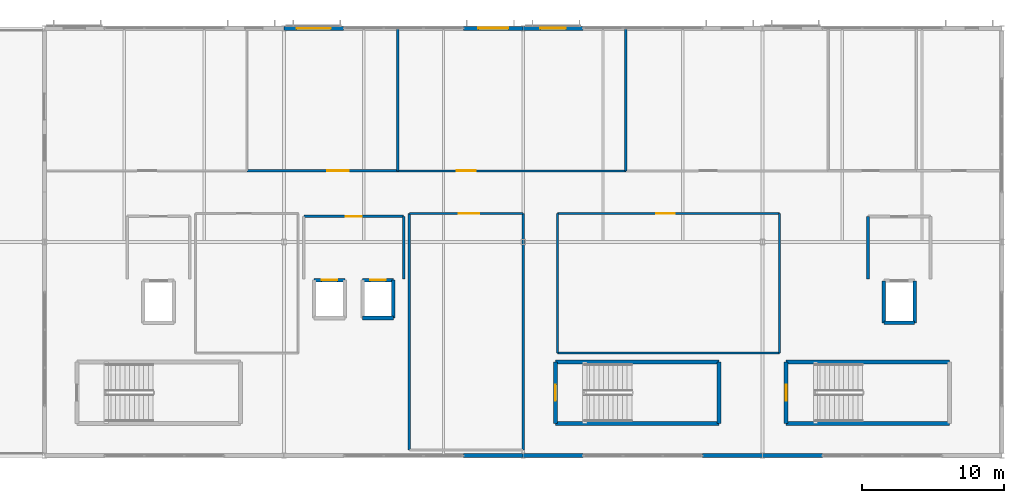
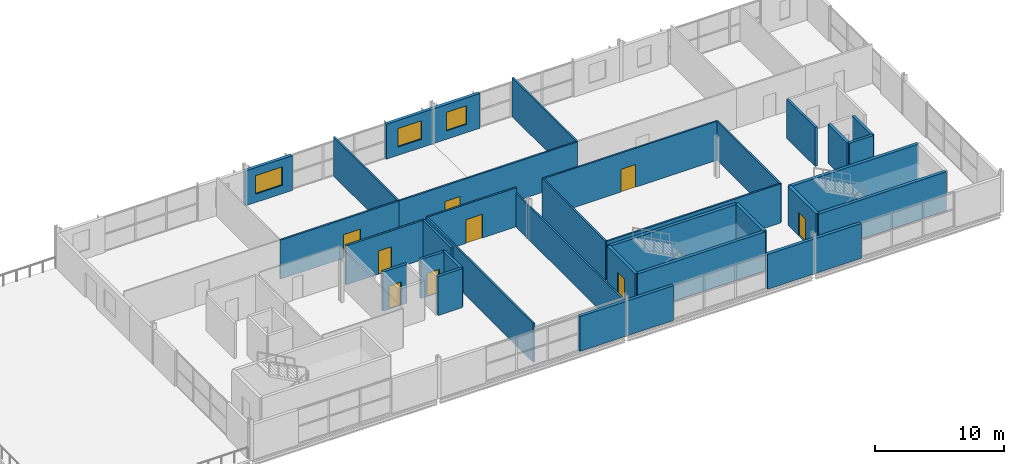
# One storey, part 14 of 18: 35 walls, 9 doors, 3 windows, 12 openings.
"""IFC4 building model written with IfcOpenShell, lengths in metres."""

from ifc_helpers import new_model, si_unit, direction, frame, frame_2d, origin, place, context, subcontext, project, spatial, rectangle, extrude, material, layer, layer_set, type_object, element, fill, save


model = new_model("IFC4")

# Units and contexts
model_context = context("Model", 3, precision=1e-05, world=origin(), true_north=direction((0.0, 1.0)))
body_context = subcontext(model_context, "Body", "Model", "MODEL_VIEW")
ifc_project = project(units=[si_unit("LENGTHUNIT", "METRE"), si_unit("AREAUNIT", "SQUARE_METRE"), si_unit("VOLUMEUNIT", "CUBIC_METRE"), si_unit("PLANEANGLEUNIT", "RADIAN"), si_unit("MASSUNIT", "GRAM", prefix="KILO")], contexts=[model_context])

# Site, building, storey
site_placement = place(None, origin())
site = spatial("IfcSite", under=ifc_project, at=site_placement, CompositionType="ELEMENT")
building_placement = place(site_placement, origin())
building = spatial("IfcBuilding", under=site, at=building_placement, Name="Kimbaza Rail Terminus", CompositionType="ELEMENT")
storey_placement = place(building_placement, frame((0.0, 0.0, 24.89990234375)))
storey = spatial("IfcBuildingStorey", under=building, at=storey_placement, Name="L05", CompositionType="ELEMENT", Elevation=24.89990234375)

# Wall, opening, window
ifc_material_1 = material(Name="Precast concrete C40/50", Category="concrete")
ifc_layer_1 = layer(ifc_material_1, 0.280029296875)
ifc_layer_set_1 = layer_set([ifc_layer_1], Name="Precast concrete C40/50")
wall_type_1 = type_object("IfcWallType", Name="ARC-WL-EXT280", PredefinedType="STANDARD", material=ifc_layer_set_1)
wall_1_placement = place(storey_placement, frame((88.800048828125, 133.0, 0.0), z_axis=(0.0, 0.0, 1.0), x_axis=(1.0, 0.0, 0.0)))
wall_1 = element("IfcWall", 1, at=wall_1_placement, inside=storey, type_object=wall_type_1, Name="Operations North Pier L05 1A", PredefinedType="STANDARD", context=body_context, shape_type="SweptSolid", body=[
    extrude(rectangle(XDim=4.199951171875, YDim=0.280029296875, at=frame_2d((2.10009765625, 0.0))), origin(), (0.0, 0.0, 1.0), 3.300048828125),
])
opening_1_placement = place(wall_1_placement, frame((0.89990234375, 0.0, 0.800048828125)))
opening_1 = element("IfcOpeningElement", 2, at=opening_1_placement, cuts=wall_1, Name="Opening W-10", PredefinedType="OPENING", context=body_context, shape_type="SweptSolid", body=[
    extrude(rectangle(XDim=2.39990234375, YDim=1.75, at=frame_2d((1.199951171875, 0.875))), frame((0.0, 0.14990234375, 0.0), z_axis=(0.0, -1.0, 0.0), x_axis=(1.0, 0.0, 0.0)), (0.0, 0.0, 1.0), 0.300048828125),
])
ifc_material_2 = material(Name="Thermally broken aluminium and solar low-E glass", Category="aluminium")
window_type_1 = type_object("IfcWindowType", Name="ARC-WIN-W-10", PartitioningType="SINGLE_PANEL", PredefinedType="WINDOW", material=ifc_material_2)
window_1_placement = place(opening_1_placement, origin())
window_1 = element("IfcWindow", 3, at=window_1_placement, inside=storey, type_object=window_type_1, Name="North Facade Window W-10", OverallHeight=1.75, OverallWidth=2.39990234375, PartitioningType="SINGLE_PANEL", PredefinedType="WINDOW", context=body_context, shape_type="SweptSolid", body=[
    extrude(rectangle(XDim=2.39990234375, YDim=1.75, at=frame_2d((1.199951171875, 0.875))), frame((0.0, 0.030029296875, 0.0), z_axis=(0.0, -1.0, 0.0), x_axis=(1.0, 0.0, 0.0)), (0.0, 0.0, 1.0), 0.06005859375),
])
fill(opening_1, window_1)

wall_2_placement = place(storey_placement, frame((101.39990234375, 133.0, 0.0), z_axis=(0.0, 0.0, 1.0), x_axis=(1.0, 0.0, 0.0)))
wall_2 = element("IfcWall", 4, at=wall_2_placement, inside=storey, type_object=wall_type_1, Name="Operations North Pier L05 1B", PredefinedType="STANDARD", context=body_context, shape_type="SweptSolid", body=[
    extrude(rectangle(XDim=4.2001953125, YDim=0.280029296875, at=frame_2d((2.10009765625, 0.0))), origin(), (0.0, 0.0, 1.0), 3.300048828125),
])
opening_2_placement = place(wall_2_placement, frame((1.050048828125, 0.0, 0.800048828125)))
opening_2 = element("IfcOpeningElement", 5, at=opening_2_placement, cuts=wall_2, Name="Opening W-11", PredefinedType="OPENING", context=body_context, shape_type="SweptSolid", body=[
    extrude(rectangle(XDim=2.10009765625, YDim=1.75, at=frame_2d((1.050048828125, 0.875))), frame((0.0, 0.14990234375, 0.0), z_axis=(0.0, -1.0, 0.0), x_axis=(1.0, 0.0, 0.0)), (0.0, 0.0, 1.0), 0.300048828125),
])
ifc_material_3 = material(Name="Thermally broken aluminium and solar low-E glass", Category="aluminium")
window_type_2 = type_object("IfcWindowType", Name="ARC-WIN-W-11", PartitioningType="SINGLE_PANEL", PredefinedType="WINDOW", material=ifc_material_3)
window_2_placement = place(opening_2_placement, origin())
window_2 = element("IfcWindow", 6, at=window_2_placement, inside=storey, type_object=window_type_2, Name="North Facade Window W-11", OverallHeight=1.75, OverallWidth=2.10009765625, PartitioningType="SINGLE_PANEL", PredefinedType="WINDOW", context=body_context, shape_type="SweptSolid", body=[
    extrude(rectangle(XDim=2.10009765625, YDim=1.75, at=frame_2d((1.050048828125, 0.875))), frame((0.0, 0.030029296875, 0.0), z_axis=(0.0, -1.0, 0.0), x_axis=(1.0, 0.0, 0.0)), (0.0, 0.0, 1.0), 0.06005859375),
])
fill(opening_2, window_2)

wall_3_placement = place(storey_placement, frame((105.60009765625, 133.0, 0.0), z_axis=(0.0, 0.0, 1.0), x_axis=(1.0, 0.0, 0.0)))
wall_3 = element("IfcWall", 7, at=wall_3_placement, inside=storey, type_object=wall_type_1, Name="Operations North Pier L05 2A", PredefinedType="STANDARD", context=body_context, shape_type="SweptSolid", body=[
    extrude(rectangle(XDim=4.199951171875, YDim=0.280029296875, at=frame_2d((2.10009765625, 0.0))), origin(), (0.0, 0.0, 1.0), 3.300048828125),
])
opening_3_placement = place(wall_3_placement, frame((1.199951171875, 0.0, 0.800048828125)))
opening_3 = element("IfcOpeningElement", 8, at=opening_3_placement, cuts=wall_3, Name="Opening W-12", PredefinedType="OPENING", context=body_context, shape_type="SweptSolid", body=[
    extrude(rectangle(XDim=1.800048828125, YDim=1.75, at=frame_2d((0.89990234375, 0.875))), frame((0.0, 0.14990234375, 0.0), z_axis=(0.0, -1.0, 0.0), x_axis=(1.0, 0.0, 0.0)), (0.0, 0.0, 1.0), 0.300048828125),
])
ifc_material_4 = material(Name="Thermally broken aluminium and solar low-E glass", Category="aluminium")
window_type_3 = type_object("IfcWindowType", Name="ARC-WIN-W-12", PartitioningType="SINGLE_PANEL", PredefinedType="WINDOW", material=ifc_material_4)
window_3_placement = place(opening_3_placement, origin())
window_3 = element("IfcWindow", 9, at=window_3_placement, inside=storey, type_object=window_type_3, Name="North Facade Window W-12", OverallHeight=1.75, OverallWidth=1.800048828125, PartitioningType="SINGLE_PANEL", PredefinedType="WINDOW", context=body_context, shape_type="SweptSolid", body=[
    extrude(rectangle(XDim=1.800048828125, YDim=1.75, at=frame_2d((0.89990234375, 0.875))), frame((0.0, 0.030029296875, 0.0), z_axis=(0.0, -1.0, 0.0), x_axis=(1.0, 0.0, 0.0)), (0.0, 0.0, 1.0), 0.06005859375),
])
fill(opening_3, window_3)

# Walls
wall_4_placement = place(storey_placement, frame((101.39990234375, 103.0, 0.0), z_axis=(0.0, 0.0, 1.0), x_axis=(1.0, 0.0, 0.0)))
element("IfcWall", 10, at=wall_4_placement, inside=storey, type_object=wall_type_1, Name="Operations South Wall L05 1B", PredefinedType="STANDARD", context=body_context, shape_type="SweptSolid", body=[
    extrude(rectangle(XDim=4.2001953125, YDim=0.280029296875, at=frame_2d((2.10009765625, 0.0))), origin(), (0.0, 0.0, 1.0), 3.300048828125),
])
for number, where, z_axis, x_axis, name in (
    (11, (105.60009765625, 103.0, 0.0), (0.0, 0.0, 1.0), (1.0, 0.0, 0.0), "Operations South Wall L05 2A"),
    (12, (118.199951171875, 103.0, 0.0), (0.0, 0.0, 1.0), (1.0, 0.0, 0.0), "Operations South Wall L05 2B"),
):
    element("IfcWall", number, at=place(storey_placement, frame(where, z_axis=z_axis, x_axis=x_axis)), inside=storey, type_object=wall_type_1, Name=name, PredefinedType="STANDARD", context=body_context, shape_type="SweptSolid", body=[
        extrude(rectangle(XDim=4.199951171875, YDim=0.280029296875, at=frame_2d((2.10009765625, 0.0))), origin(), (0.0, 0.0, 1.0), 3.300048828125),
    ])
wall_5_placement = place(storey_placement, frame((122.39990234375, 103.0, 0.0), z_axis=(0.0, 0.0, 1.0), x_axis=(1.0, 0.0, 0.0)))
element("IfcWall", 13, at=wall_5_placement, inside=storey, type_object=wall_type_1, Name="Operations South Wall L05 3A", PredefinedType="STANDARD", context=body_context, shape_type="SweptSolid", body=[
    extrude(rectangle(XDim=4.2001953125, YDim=0.280029296875, at=frame_2d((2.10009765625, 0.0))), origin(), (0.0, 0.0, 1.0), 3.300048828125),
])
ifc_material_5 = material(Name="Concrete blockwork C30/37", Category="masonry")
ifc_layer_2 = layer(ifc_material_5, 0.179931640625)
ifc_layer_set_2 = layer_set([ifc_layer_2], Name="Concrete blockwork C30/37")
wall_type_2 = type_object("IfcWallType", Name="ARC-WL-FIRE180", PredefinedType="PARTITIONING", material=ifc_layer_set_2)
wall_6_placement = place(storey_placement, frame((97.199951171875, 115.39990234375, 0.0), z_axis=(0.0, 0.0, 1.0), x_axis=(0.0, 1.0, 0.0)))
element("IfcWall", 14, at=wall_6_placement, inside=storey, type_object=wall_type_2, Name="Operations Lift Lobby L05 Partition (east)", PredefinedType="PARTITIONING", context=body_context, shape_type="SweptSolid", body=[
    extrude(rectangle(XDim=4.400146484375, YDim=0.179931640625, at=frame_2d((2.2001953125, 0.0))), origin(), (0.0, 0.0, 1.0), 3.695068359375),
])

# Wall, opening, door
wall_7_placement = place(storey_placement, frame((97.199951171875, 119.800048828125, 0.0), z_axis=(0.0, 0.0, 1.0), x_axis=(-1.0, 0.0, 0.0)))
wall_7 = element("IfcWall", 15, at=wall_7_placement, inside=storey, type_object=wall_type_2, Name="Operations Lift Lobby L05 Partition (north)", PredefinedType="PARTITIONING", context=body_context, shape_type="SweptSolid", body=[
    extrude(rectangle(XDim=7.0, YDim=0.179931640625, at=frame_2d((3.5, 0.0))), origin(), (0.0, 0.0, 1.0), 3.695068359375),
])
opening_4_placement = place(wall_7_placement, frame((4.074951171875, 0.0, 0.0), z_axis=(0.0, 0.0, 1.0), x_axis=(-1.0, 0.0, 0.0)))
opening_4 = element("IfcOpeningElement", 16, at=opening_4_placement, cuts=wall_7, Name="Opening FD-03", PredefinedType="OPENING", context=body_context, shape_type="SweptSolid", body=[
    extrude(rectangle(XDim=1.14990234375, YDim=2.199951171875, at=frame_2d((0.574951171875, 1.10009765625))), frame((0.0, 0.099853515625, 0.0), z_axis=(0.0, -1.0, 0.0), x_axis=(1.0, 0.0, 0.0)), (0.0, 0.0, 1.0), 0.199951171875),
])
ifc_material_6 = material(Name="Firefighting lobby self-closing steel door", Category="steel")
door_type_1 = type_object("IfcDoorType", Name="ARC-DR-FD115", OperationType="NOTDEFINED", PredefinedType="DOOR", material=ifc_material_6)
door_1_placement = place(opening_4_placement, origin())
door_1 = element("IfcDoor", 17, at=door_1_placement, inside=storey, type_object=door_type_1, Name="IDR-SPC-LLOB-V5-L05", OperationType="SINGLE_SWING_LEFT", OverallHeight=2.199951171875, OverallWidth=1.14990234375, PredefinedType="DOOR", context=body_context, shape_type="SweptSolid", body=[
    extrude(rectangle(XDim=1.14990234375, YDim=2.199951171875, at=frame_2d((0.574951171875, 1.10009765625))), frame((0.0, 0.02490234375, 0.0), z_axis=(0.0, -1.0, 0.0), x_axis=(1.0, 0.0, 0.0)), (0.0, 0.0, 1.0), 0.050048828125),
])
fill(opening_4, door_1)

# Wall
ifc_material_7 = material(Name="Concrete blockwork C30/37", Category="masonry")
ifc_layer_3 = layer(ifc_material_7, 0.199951171875)
ifc_layer_set_3 = layer_set([ifc_layer_3], Name="Concrete blockwork C30/37")
wall_type_3 = type_object("IfcWallType", Name="ARC-WL-FIRE200", PredefinedType="PARTITIONING", material=ifc_layer_set_3)
wall_8_placement = place(storey_placement, frame((129.800048828125, 119.800048828125, 0.0), z_axis=(0.0, 0.0, 1.0), x_axis=(0.0, -1.0, 0.0)))
element("IfcWall", 18, at=wall_8_placement, inside=storey, type_object=wall_type_3, Name="Firefighting Lobby LF-02 Partition (west)", PredefinedType="PARTITIONING", context=body_context, shape_type="SweptSolid", body=[
    extrude(rectangle(XDim=4.400146484375, YDim=0.199951171875, at=frame_2d((2.2001953125, 0.0))), origin(), (0.0, 0.0, 1.0), 3.695068359375),
])

# Wall, opening, door
ifc_material_8 = material(Name="Acoustic gypsum stud partition", Category="gypsum")
ifc_layer_4 = layer(ifc_material_8, 0.14990234375)
ifc_layer_set_4 = layer_set([ifc_layer_4], Name="Acoustic gypsum stud partition")
wall_type_4 = type_object("IfcWallType", Name="ARC-WL-PART150", PredefinedType="PARTITIONING", material=ifc_layer_set_4)
wall_9_placement = place(storey_placement, frame((96.800048828125, 123.0, 0.0), z_axis=(0.0, 0.0, 1.0), x_axis=(1.0, 0.0, 0.0)))
wall_9 = element("IfcWall", 19, at=wall_9_placement, inside=storey, type_object=wall_type_4, Name="Railway Safety Training Classroom Partition (south)", PredefinedType="PARTITIONING", context=body_context, shape_type="SweptSolid", body=[
    extrude(rectangle(XDim=16.0, YDim=0.14990234375, at=frame_2d((8.0, 0.0))), origin(), (0.0, 0.0, 1.0), 3.695068359375),
])
opening_5_placement = place(wall_9_placement, frame((4.125, 0.0, 0.0)))
opening_5 = element("IfcOpeningElement", 20, at=opening_5_placement, cuts=wall_9, Name="Opening ID-02", PredefinedType="OPENING", context=body_context, shape_type="SweptSolid", body=[
    extrude(rectangle(XDim=1.35009765625, YDim=2.199951171875, at=frame_2d((0.675048828125, 1.10009765625))), frame((0.0, 0.0849609375, 0.0), z_axis=(0.0, -1.0, 0.0), x_axis=(1.0, 0.0, 0.0)), (0.0, 0.0, 1.0), 0.169921875),
])
ifc_material_9 = material(Name="Anodised aluminium glazed lounge door", Category="aluminium")
door_type_2 = type_object("IfcDoorType", Name="ARC-DR-ID135", OperationType="NOTDEFINED", PredefinedType="DOOR", material=ifc_material_9)
door_2_placement = place(opening_5_placement, origin())
door_2 = element("IfcDoor", 21, at=door_2_placement, inside=storey, type_object=door_type_2, Name="IDR-SPC-V5N-L05-03", OperationType="SINGLE_SWING_LEFT", OverallHeight=2.199951171875, OverallWidth=1.35009765625, PredefinedType="DOOR", context=body_context, shape_type="SweptSolid", body=[
    extrude(rectangle(XDim=1.35009765625, YDim=2.199951171875, at=frame_2d((0.675048828125, 1.10009765625))), frame((0.0, 0.02490234375, 0.0), z_axis=(0.0, -1.0, 0.0), x_axis=(1.0, 0.0, 0.0)), (0.0, 0.0, 1.0), 0.050048828125),
])
fill(opening_5, door_2)

# Walls
wall_10_placement = place(storey_placement, frame((112.800048828125, 123.0, 0.0), z_axis=(0.0, 0.0, 1.0), x_axis=(0.0, 1.0, 0.0)))
element("IfcWall", 22, at=wall_10_placement, inside=storey, type_object=wall_type_4, Name="Railway Safety Training Classroom Partition (east)", PredefinedType="PARTITIONING", context=body_context, shape_type="SweptSolid", body=[
    extrude(rectangle(XDim=9.97998046875, YDim=0.14990234375, at=frame_2d((4.989990234375, 0.0))), origin(), (0.0, 0.0, 1.0), 3.695068359375),
])
wall_11_placement = place(storey_placement, frame((108.0, 110.199951171875, 0.0), z_axis=(0.0, 0.0, 1.0), x_axis=(1.0, 0.0, 0.0)))
element("IfcWall", 23, at=wall_11_placement, inside=storey, type_object=wall_type_4, Name="L05 Rolling Stock Rostering Studio Partition (south)", PredefinedType="PARTITIONING", context=body_context, shape_type="SweptSolid", body=[
    extrude(rectangle(XDim=15.60009765625, YDim=0.14990234375, at=frame_2d((7.800048828125, 0.0))), origin(), (0.0, 0.0, 1.0), 3.695068359375),
])
wall_12_placement = place(storey_placement, frame((123.60009765625, 110.199951171875, 0.0), z_axis=(0.0, 0.0, 1.0), x_axis=(0.0, 1.0, 0.0)))
element("IfcWall", 24, at=wall_12_placement, inside=storey, type_object=wall_type_4, Name="L05 Rolling Stock Rostering Studio Partition (east)", PredefinedType="PARTITIONING", context=body_context, shape_type="SweptSolid", body=[
    extrude(rectangle(XDim=9.800048828125, YDim=0.14990234375, at=frame_2d((4.89990234375, 0.0))), origin(), (0.0, 0.0, 1.0), 3.695068359375),
])

# Wall, opening, door
wall_13_placement = place(storey_placement, frame((123.60009765625, 120.0, 0.0), z_axis=(0.0, 0.0, 1.0), x_axis=(-1.0, 0.0, 0.0)))
wall_13 = element("IfcWall", 25, at=wall_13_placement, inside=storey, type_object=wall_type_4, Name="L05 Rolling Stock Rostering Studio Partition (north)", PredefinedType="PARTITIONING", context=body_context, shape_type="SweptSolid", body=[
    extrude(rectangle(XDim=15.60009765625, YDim=0.14990234375, at=frame_2d((7.800048828125, 0.0))), origin(), (0.0, 0.0, 1.0), 3.695068359375),
])
opening_6_placement = place(wall_13_placement, frame((7.35009765625, 0.0, 0.0)))
opening_6 = element("IfcOpeningElement", 26, at=opening_6_placement, cuts=wall_13, Name="Opening ID-08", PredefinedType="OPENING", context=body_context, shape_type="SweptSolid", body=[
    extrude(rectangle(XDim=1.300048828125, YDim=2.14990234375, at=frame_2d((0.64990234375, 1.074951171875))), frame((0.0, 0.0849609375, 0.0), z_axis=(0.0, -1.0, 0.0), x_axis=(1.0, 0.0, 0.0)), (0.0, 0.0, 1.0), 0.169921875),
])
ifc_material_10 = material(Name="Training classroom acoustic door", Category="wood")
door_type_3 = type_object("IfcDoorType", Name="ARC-DR-ID130", OperationType="NOTDEFINED", PredefinedType="DOOR", material=ifc_material_10)
door_3_placement = place(opening_6_placement, origin())
door_3 = element("IfcDoor", 27, at=door_3_placement, inside=storey, type_object=door_type_3, Name="IDR-SPC-V5S-L05-3", OperationType="SINGLE_SWING_LEFT", OverallHeight=2.14990234375, OverallWidth=1.300048828125, PredefinedType="DOOR", context=body_context, shape_type="SweptSolid", body=[
    extrude(rectangle(XDim=1.300048828125, YDim=2.14990234375, at=frame_2d((0.64990234375, 1.074951171875))), frame((0.0, 0.02490234375, 0.0), z_axis=(0.0, -1.0, 0.0), x_axis=(1.0, 0.0, 0.0)), (0.0, 0.0, 1.0), 0.050048828125),
])
fill(opening_6, door_3)

# Wall
wall_14_placement = place(storey_placement, frame((108.0, 120.0, 0.0), z_axis=(0.0, 0.0, 1.0), x_axis=(0.0, -1.0, 0.0)))
element("IfcWall", 28, at=wall_14_placement, inside=storey, type_object=wall_type_4, Name="L05 Rolling Stock Rostering Studio Partition (west)", PredefinedType="PARTITIONING", context=body_context, shape_type="SweptSolid", body=[
    extrude(rectangle(XDim=9.800048828125, YDim=0.14990234375, at=frame_2d((4.89990234375, 0.0))), origin(), (0.0, 0.0, 1.0), 3.695068359375),
])

# Wall, opening, door
ifc_material_11 = material(Name="Acoustic gypsum stud partition", Category="gypsum")
ifc_layer_5 = layer(ifc_material_11, 0.159912109375)
ifc_layer_set_5 = layer_set([ifc_layer_5], Name="Acoustic gypsum stud partition")
wall_type_5 = type_object("IfcWallType", Name="ARC-WL-PART160", PredefinedType="PARTITIONING", material=ifc_layer_set_5)
wall_15_placement = place(storey_placement, frame((86.199951171875, 123.0, 0.0), z_axis=(0.0, 0.0, 1.0), x_axis=(1.0, 0.0, 0.0)))
wall_15 = element("IfcWall", 29, at=wall_15_placement, inside=storey, type_object=wall_type_5, Name="Canteen Catering Kitchen and Server Partition (south)", PredefinedType="PARTITIONING", context=body_context, shape_type="SweptSolid", body=[
    extrude(rectangle(XDim=10.60009765625, YDim=0.159912109375, at=frame_2d((5.300048828125, 0.0))), origin(), (0.0, 0.0, 1.0), 3.695068359375),
])
opening_7_placement = place(wall_15_placement, frame((7.14990234375, 0.0, 0.0), z_axis=(0.0, 0.0, 1.0), x_axis=(-1.0, 0.0, 0.0)))
opening_7 = element("IfcOpeningElement", 30, at=opening_7_placement, cuts=wall_15, Name="Opening ID-01", PredefinedType="OPENING", context=body_context, shape_type="SweptSolid", body=[
    extrude(rectangle(XDim=1.5, YDim=2.25, at=frame_2d((0.75, 1.125))), frame((0.0, 0.08984375, 0.0), z_axis=(0.0, -1.0, 0.0), x_axis=(1.0, 0.0, 0.0)), (0.0, 0.0, 1.0), 0.179931640625),
])
ifc_material_12 = material(Name="Anodised aluminium glazed concourse door", Category="aluminium")
door_type_4 = type_object("IfcDoorType", Name="ARC-DR-ID150", OperationType="NOTDEFINED", PredefinedType="DOOR", material=ifc_material_12)
door_4_placement = place(opening_7_placement, origin())
door_4 = element("IfcDoor", 31, at=door_4_placement, inside=storey, type_object=door_type_4, Name="IDR-SPC-V5N-L05-02", OperationType="SINGLE_SWING_RIGHT", OverallHeight=2.25, OverallWidth=1.5, PredefinedType="DOOR", context=body_context, shape_type="SweptSolid", body=[
    extrude(rectangle(XDim=1.5, YDim=2.25, at=frame_2d((0.75, 1.125))), frame((0.0, 0.02490234375, 0.0), z_axis=(0.0, -1.0, 0.0), x_axis=(1.0, 0.0, 0.0)), (0.0, 0.0, 1.0), 0.050048828125),
])
fill(opening_7, door_4)

# Walls
wall_16_placement = place(storey_placement, frame((96.800048828125, 123.0, 0.0), z_axis=(0.0, 0.0, 1.0), x_axis=(0.0, 1.0, 0.0)))
element("IfcWall", 32, at=wall_16_placement, inside=storey, type_object=wall_type_5, Name="Canteen Catering Kitchen and Server Partition (east)", PredefinedType="PARTITIONING", context=body_context, shape_type="SweptSolid", body=[
    extrude(rectangle(XDim=9.97998046875, YDim=0.159912109375, at=frame_2d((4.989990234375, 0.0))), origin(), (0.0, 0.0, 1.0), 3.695068359375),
])
wall_17_placement = place(storey_placement, frame((105.60009765625, 103.39990234375, 0.0), z_axis=(0.0, 0.0, 1.0), x_axis=(0.0, 1.0, 0.0)))
element("IfcWall", 33, at=wall_17_placement, inside=storey, type_object=wall_type_5, Name="L05 Network Dispatch Briefing Room Partition (east)", PredefinedType="PARTITIONING", context=body_context, shape_type="SweptSolid", body=[
    extrude(rectangle(XDim=16.60009765625, YDim=0.159912109375, at=frame_2d((8.300048828125, 0.0))), origin(), (0.0, 0.0, 1.0), 3.190185546875),
])

# Wall, opening, door
wall_18_placement = place(storey_placement, frame((105.60009765625, 120.0, 0.0), z_axis=(0.0, 0.0, 1.0), x_axis=(-1.0, 0.0, 0.0)))
wall_18 = element("IfcWall", 34, at=wall_18_placement, inside=storey, type_object=wall_type_5, Name="L05 Network Dispatch Briefing Room Partition (north)", PredefinedType="PARTITIONING", context=body_context, shape_type="SweptSolid", body=[
    extrude(rectangle(XDim=8.0, YDim=0.159912109375, at=frame_2d((4.0, 0.0))), origin(), (0.0, 0.0, 1.0), 3.695068359375),
])
opening_8_placement = place(wall_18_placement, frame((4.52490234375, 0.0, 0.0), z_axis=(0.0, 0.0, 1.0), x_axis=(-1.0, 0.0, 0.0)))
opening_8 = element("IfcOpeningElement", 35, at=opening_8_placement, cuts=wall_18, Name="Opening ID-07", PredefinedType="OPENING", context=body_context, shape_type="SweptSolid", body=[
    extrude(rectangle(XDim=1.449951171875, YDim=2.25, at=frame_2d((0.72509765625, 1.125))), frame((0.0, 0.08984375, 0.0), z_axis=(0.0, -1.0, 0.0), x_axis=(1.0, 0.0, 0.0)), (0.0, 0.0, 1.0), 0.179931640625),
])
ifc_material_13 = material(Name="Retail shopfront glazed entrance door", Category="aluminium")
door_type_5 = type_object("IfcDoorType", Name="ARC-DR-ID145", OperationType="NOTDEFINED", PredefinedType="DOOR", material=ifc_material_13)
door_5_placement = place(opening_8_placement, origin())
door_5 = element("IfcDoor", 36, at=door_5_placement, inside=storey, type_object=door_type_5, Name="IDR-SPC-V5S-L05-2", OperationType="SINGLE_SWING_RIGHT", OverallHeight=2.25, OverallWidth=1.449951171875, PredefinedType="DOOR", context=body_context, shape_type="SweptSolid", body=[
    extrude(rectangle(XDim=1.449951171875, YDim=2.25, at=frame_2d((0.72509765625, 1.125))), frame((0.0, 0.02490234375, 0.0), z_axis=(0.0, -1.0, 0.0), x_axis=(1.0, 0.0, 0.0)), (0.0, 0.0, 1.0), 0.050048828125),
])
fill(opening_8, door_5)

# Wall
wall_19_placement = place(storey_placement, frame((97.60009765625, 120.0, 0.0), z_axis=(0.0, 0.0, 1.0), x_axis=(0.0, -1.0, 0.0)))
element("IfcWall", 37, at=wall_19_placement, inside=storey, type_object=wall_type_5, Name="L05 Network Dispatch Briefing Room Partition (west)", PredefinedType="PARTITIONING", context=body_context, shape_type="SweptSolid", body=[
    extrude(rectangle(XDim=16.60009765625, YDim=0.159912109375, at=frame_2d((8.300048828125, 0.0))), origin(), (0.0, 0.0, 1.0), 3.695068359375),
])

# Wall, opening, door
ifc_material_14 = material(Name="Concrete C40/50", Category="concrete")
ifc_layer_6 = layer(ifc_material_14, 0.25)
ifc_layer_set_6 = layer_set([ifc_layer_6], Name="Concrete C40/50")
wall_type_6 = type_object("IfcWallType", Name="STR-WL-CORE250", PredefinedType="SHEAR", material=ifc_layer_set_6)
wall_20_placement = place(storey_placement, frame((93.080078125, 115.330078125, 0.0), z_axis=(0.0, 0.0, 1.0), x_axis=(-1.0, 0.0, 0.0)))
wall_20 = element("IfcWall", 38, at=wall_20_placement, inside=storey, type_object=wall_type_6, Name="Lift Shaft Wall LP-08 L05-3", PredefinedType="SHEAR", context=body_context, shape_type="SweptSolid", body=[
    extrude(rectangle(XDim=2.16015625, YDim=0.25, at=frame_2d((1.080078125, 0.0))), origin(), (0.0, 0.0, 1.0), 3.695068359375),
])
opening_9_placement = place(wall_20_placement, frame((0.530029296875, 0.0, 0.0)))
opening_9 = element("IfcOpeningElement", 39, at=opening_9_placement, cuts=wall_20, Name="Opening LD-01", PredefinedType="OPENING", context=body_context, shape_type="SweptSolid", body=[
    extrude(rectangle(XDim=1.10009765625, YDim=2.199951171875, at=frame_2d((0.550048828125, 1.10009765625))), frame((0.0, 0.135009765625, 0.0), z_axis=(0.0, -1.0, 0.0), x_axis=(1.0, 0.0, 0.0)), (0.0, 0.0, 1.0), 0.27001953125),
])
ifc_material_15 = material(Name="Brushed stainless steel sliding landing door", Category="steel")
door_type_6 = type_object("IfcDoorType", Name="ARC-DR-LD110", OperationType="NOTDEFINED", PredefinedType="DOOR", material=ifc_material_15)
door_6_placement = place(opening_9_placement, origin())
door_6 = element("IfcDoor", 40, at=door_6_placement, inside=storey, type_object=door_type_6, Name="LDR-LP-08-L05", OperationType="SLIDING_TO_LEFT", OverallHeight=2.199951171875, OverallWidth=1.10009765625, PredefinedType="DOOR", context=body_context, shape_type="SweptSolid", body=[
    extrude(rectangle(XDim=1.10009765625, YDim=2.199951171875, at=frame_2d((0.550048828125, 1.10009765625))), frame((0.0, 0.02490234375, 0.0), z_axis=(0.0, -1.0, 0.0), x_axis=(1.0, 0.0, 0.0)), (0.0, 0.0, 1.0), 0.050048828125),
])
fill(opening_9, door_6)

# Walls
wall_21_placement = place(storey_placement, frame((94.320068359375, 112.669921875, 0.0), z_axis=(0.0, 0.0, 1.0), x_axis=(1.0, 0.0, 0.0)))
element("IfcWall", 41, at=wall_21_placement, inside=storey, type_object=wall_type_6, Name="Lift Shaft Wall LP-09 L05-1", PredefinedType="SHEAR", context=body_context, shape_type="SweptSolid", body=[
    extrude(rectangle(XDim=2.159912109375, YDim=0.25, at=frame_2d((1.080078125, 0.0))), origin(), (0.0, 0.0, 1.0), 3.695068359375),
])
wall_22_placement = place(storey_placement, frame((96.47998046875, 112.669921875, 0.0), z_axis=(0.0, 0.0, 1.0), x_axis=(0.0, 1.0, 0.0)))
element("IfcWall", 42, at=wall_22_placement, inside=storey, type_object=wall_type_6, Name="Lift Shaft Wall LP-09 L05-2", PredefinedType="SHEAR", context=body_context, shape_type="SweptSolid", body=[
    extrude(rectangle(XDim=2.66015625, YDim=0.25, at=frame_2d((1.330078125, 0.0))), origin(), (0.0, 0.0, 1.0), 3.695068359375),
])

# Wall, opening, door
wall_23_placement = place(storey_placement, frame((96.47998046875, 115.330078125, 0.0), z_axis=(0.0, 0.0, 1.0), x_axis=(-1.0, 0.0, 0.0)))
wall_23 = element("IfcWall", 43, at=wall_23_placement, inside=storey, type_object=wall_type_6, Name="Lift Shaft Wall LP-09 L05-3", PredefinedType="SHEAR", context=body_context, shape_type="SweptSolid", body=[
    extrude(rectangle(XDim=2.159912109375, YDim=0.25, at=frame_2d((1.080078125, 0.0))), origin(), (0.0, 0.0, 1.0), 3.695068359375),
])
opening_10_placement = place(wall_23_placement, frame((0.530029296875, 0.0, 0.0)))
opening_10 = element("IfcOpeningElement", 44, at=opening_10_placement, cuts=wall_23, Name="Opening LD-01", PredefinedType="OPENING", context=body_context, shape_type="SweptSolid", body=[
    extrude(rectangle(XDim=1.10009765625, YDim=2.199951171875, at=frame_2d((0.550048828125, 1.10009765625))), frame((0.0, 0.135009765625, 0.0), z_axis=(0.0, -1.0, 0.0), x_axis=(1.0, 0.0, 0.0)), (0.0, 0.0, 1.0), 0.27001953125),
])
door_7_placement = place(opening_10_placement, origin())
door_7 = element("IfcDoor", 45, at=door_7_placement, inside=storey, type_object=door_type_6, Name="LDR-LP-09-L05", OperationType="SLIDING_TO_LEFT", OverallHeight=2.199951171875, OverallWidth=1.10009765625, PredefinedType="DOOR", context=body_context, shape_type="SweptSolid", body=[
    extrude(rectangle(XDim=1.10009765625, YDim=2.199951171875, at=frame_2d((0.550048828125, 1.10009765625))), frame((0.0, 0.02490234375, 0.0), z_axis=(0.0, -1.0, 0.0), x_axis=(1.0, 0.0, 0.0)), (0.0, 0.0, 1.0), 0.050048828125),
])
fill(opening_10, door_7)

# Walls
wall_24_placement = place(storey_placement, frame((130.919921875, 112.320068359375, 0.0), z_axis=(0.0, 0.0, 1.0), x_axis=(1.0, 0.0, 0.0)))
element("IfcWall", 46, at=wall_24_placement, inside=storey, type_object=wall_type_6, Name="Lift Shaft Wall LF-02 L05-1", PredefinedType="SHEAR", context=body_context, shape_type="SweptSolid", body=[
    extrude(rectangle(XDim=2.16015625, YDim=0.25, at=frame_2d((1.080078125, 0.0))), origin(), (0.0, 0.0, 1.0), 3.695068359375),
])
for number, where, z_axis, x_axis, name in (
    (47, (133.080078125, 112.320068359375, 0.0), (0.0, 0.0, 1.0), (0.0, 1.0, 0.0), "Lift Shaft Wall LF-02 L05-2"),
    (48, (130.919921875, 115.280029296875, 0.0), (0.0, 0.0, 1.0), (0.0, -1.0, 0.0), "Lift Shaft Wall LF-02 L05-4"),
):
    element("IfcWall", number, at=place(storey_placement, frame(where, z_axis=z_axis, x_axis=x_axis)), inside=storey, type_object=wall_type_6, Name=name, PredefinedType="SHEAR", context=body_context, shape_type="SweptSolid", body=[
        extrude(rectangle(XDim=2.9599609375, YDim=0.25, at=frame_2d((1.47998046875, 0.0))), origin(), (0.0, 0.0, 1.0), 3.695068359375),
    ])
ifc_material_16 = material(Name="Concrete C40/50", Category="concrete")
ifc_layer_7 = layer(ifc_material_16, 0.280029296875)
ifc_layer_set_7 = layer_set([ifc_layer_7], Name="Concrete C40/50")
wall_type_7 = type_object("IfcWallType", Name="STR-WL-CORE280", PredefinedType="SHEAR", material=ifc_layer_set_7)
wall_25_placement = place(storey_placement, frame((107.860107421875, 105.260009765625, 0.0), z_axis=(0.0, 0.0, 1.0), x_axis=(1.0, 0.0, 0.0)))
element("IfcWall", 49, at=wall_25_placement, inside=storey, type_object=wall_type_7, Name="Operations Central Exit Stair Shaft Wall L05-1", PredefinedType="SHEAR", context=body_context, shape_type="SweptSolid", body=[
    extrude(rectangle(XDim=11.47998046875, YDim=0.280029296875, at=frame_2d((5.739990234375, 0.0))), origin(), (0.0, 0.0, 1.0), 3.695068359375),
])
wall_26_placement = place(storey_placement, frame((119.340087890625, 105.260009765625, 0.0), z_axis=(0.0, 0.0, 1.0), x_axis=(0.0, 1.0, 0.0)))
element("IfcWall", 50, at=wall_26_placement, inside=storey, type_object=wall_type_7, Name="Operations Central Exit Stair Shaft Wall L05-2", PredefinedType="SHEAR", context=body_context, shape_type="SweptSolid", body=[
    extrude(rectangle(XDim=4.320068359375, YDim=0.280029296875, at=frame_2d((2.16015625, 0.0))), origin(), (0.0, 0.0, 1.0), 3.695068359375),
])
wall_27_placement = place(storey_placement, frame((119.340087890625, 109.580078125, 0.0), z_axis=(0.0, 0.0, 1.0), x_axis=(-1.0, 0.0, 0.0)))
element("IfcWall", 51, at=wall_27_placement, inside=storey, type_object=wall_type_7, Name="Operations Central Exit Stair Shaft Wall L05-3", PredefinedType="SHEAR", context=body_context, shape_type="SweptSolid", body=[
    extrude(rectangle(XDim=11.47998046875, YDim=0.280029296875, at=frame_2d((5.739990234375, 0.0))), origin(), (0.0, 0.0, 1.0), 3.695068359375),
])

# Wall, opening, door
wall_28_placement = place(storey_placement, frame((107.860107421875, 109.580078125, 0.0), z_axis=(0.0, 0.0, 1.0), x_axis=(0.0, -1.0, 0.0)))
wall_28 = element("IfcWall", 52, at=wall_28_placement, inside=storey, type_object=wall_type_7, Name="Operations Central Exit Stair Shaft Wall L05-4", PredefinedType="SHEAR", context=body_context, shape_type="SweptSolid", body=[
    extrude(rectangle(XDim=4.320068359375, YDim=0.280029296875, at=frame_2d((2.16015625, 0.0))), origin(), (0.0, 0.0, 1.0), 3.695068359375),
])
opening_11_placement = place(wall_28_placement, frame((1.5849609375, 0.0, 0.0)))
opening_11 = element("IfcOpeningElement", 53, at=opening_11_placement, cuts=wall_28, Name="Opening FD-03", PredefinedType="OPENING", context=body_context, shape_type="SweptSolid", body=[
    extrude(rectangle(XDim=1.14990234375, YDim=2.199951171875, at=frame_2d((0.574951171875, 1.10009765625))), frame((0.0, 0.14990234375, 0.0), z_axis=(0.0, -1.0, 0.0), x_axis=(1.0, 0.0, 0.0)), (0.0, 0.0, 1.0), 0.300048828125),
])
door_8_placement = place(opening_11_placement, origin())
door_8 = element("IfcDoor", 54, at=door_8_placement, inside=storey, type_object=door_type_1, Name="SDR-ST-M1-L05", OperationType="SINGLE_SWING_LEFT", OverallHeight=2.199951171875, OverallWidth=1.14990234375, PredefinedType="DOOR", context=body_context, shape_type="SweptSolid", body=[
    extrude(rectangle(XDim=1.14990234375, YDim=2.199951171875, at=frame_2d((0.574951171875, 1.10009765625))), frame((0.0, 0.02490234375, 0.0), z_axis=(0.0, -1.0, 0.0), x_axis=(1.0, 0.0, 0.0)), (0.0, 0.0, 1.0), 0.050048828125),
])
fill(opening_11, door_8)

# Walls
for number, where, z_axis, x_axis, name in (
    (55, (124.06005859375, 105.260009765625, 0.0), (0.0, 0.0, 1.0), (1.0, 0.0, 0.0), "Operations East Exit Stair Shaft Wall L05-1"),
    (56, (135.5400390625, 109.580078125, 0.0), (0.0, 0.0, 1.0), (-1.0, 0.0, 0.0), "Operations East Exit Stair Shaft Wall L05-3"),
):
    element("IfcWall", number, at=place(storey_placement, frame(where, z_axis=z_axis, x_axis=x_axis)), inside=storey, type_object=wall_type_7, Name=name, PredefinedType="SHEAR", context=body_context, shape_type="SweptSolid", body=[
        extrude(rectangle(XDim=11.47998046875, YDim=0.280029296875, at=frame_2d((5.739990234375, 0.0))), origin(), (0.0, 0.0, 1.0), 3.695068359375),
    ])

# Wall, opening, door
wall_29_placement = place(storey_placement, frame((124.06005859375, 109.580078125, 0.0), z_axis=(0.0, 0.0, 1.0), x_axis=(0.0, -1.0, 0.0)))
wall_29 = element("IfcWall", 57, at=wall_29_placement, inside=storey, type_object=wall_type_7, Name="Operations East Exit Stair Shaft Wall L05-4", PredefinedType="SHEAR", context=body_context, shape_type="SweptSolid", body=[
    extrude(rectangle(XDim=4.320068359375, YDim=0.280029296875, at=frame_2d((2.16015625, 0.0))), origin(), (0.0, 0.0, 1.0), 3.695068359375),
])
opening_12_placement = place(wall_29_placement, frame((1.5849609375, 0.0, 0.0)))
opening_12 = element("IfcOpeningElement", 58, at=opening_12_placement, cuts=wall_29, Name="Opening FD-03", PredefinedType="OPENING", context=body_context, shape_type="SweptSolid", body=[
    extrude(rectangle(XDim=1.14990234375, YDim=2.199951171875, at=frame_2d((0.574951171875, 1.10009765625))), frame((0.0, 0.14990234375, 0.0), z_axis=(0.0, -1.0, 0.0), x_axis=(1.0, 0.0, 0.0)), (0.0, 0.0, 1.0), 0.300048828125),
])
door_9_placement = place(opening_12_placement, origin())
door_9 = element("IfcDoor", 59, at=door_9_placement, inside=storey, type_object=door_type_1, Name="SDR-ST-E1-L05", OperationType="SINGLE_SWING_LEFT", OverallHeight=2.199951171875, OverallWidth=1.14990234375, PredefinedType="DOOR", context=body_context, shape_type="SweptSolid", body=[
    extrude(rectangle(XDim=1.14990234375, YDim=2.199951171875, at=frame_2d((0.574951171875, 1.10009765625))), frame((0.0, 0.02490234375, 0.0), z_axis=(0.0, -1.0, 0.0), x_axis=(1.0, 0.0, 0.0)), (0.0, 0.0, 1.0), 0.050048828125),
])
fill(opening_12, door_9)

save(model, "model.ifc")
